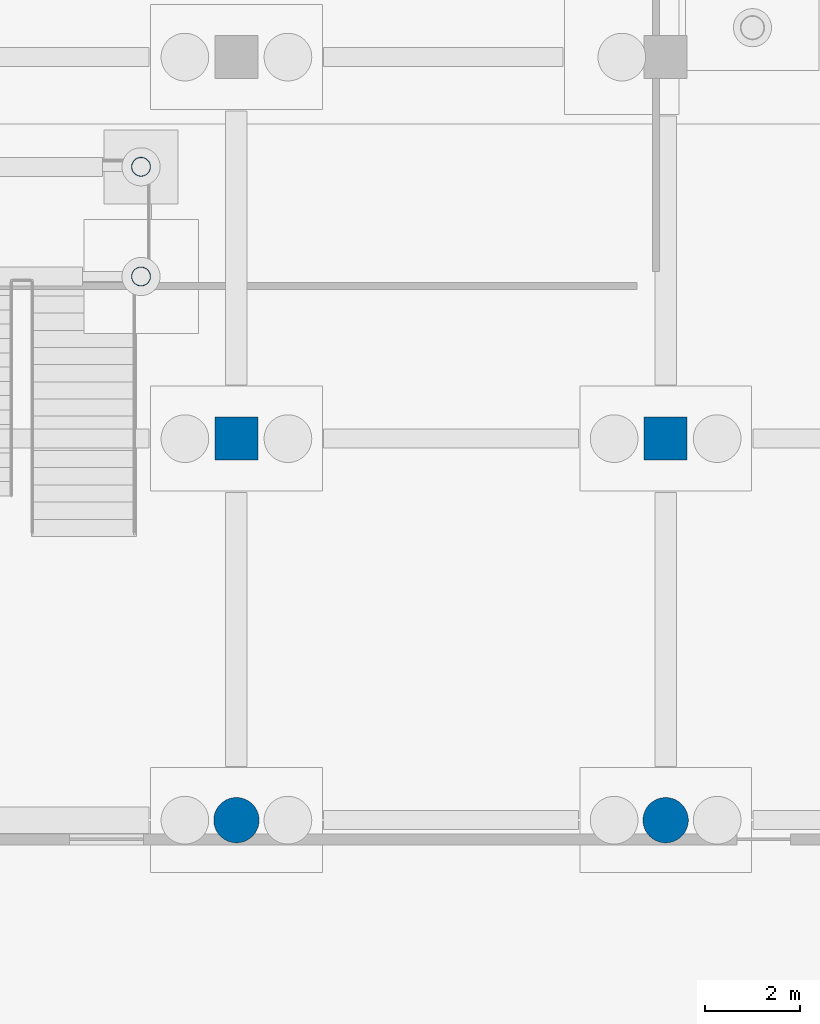
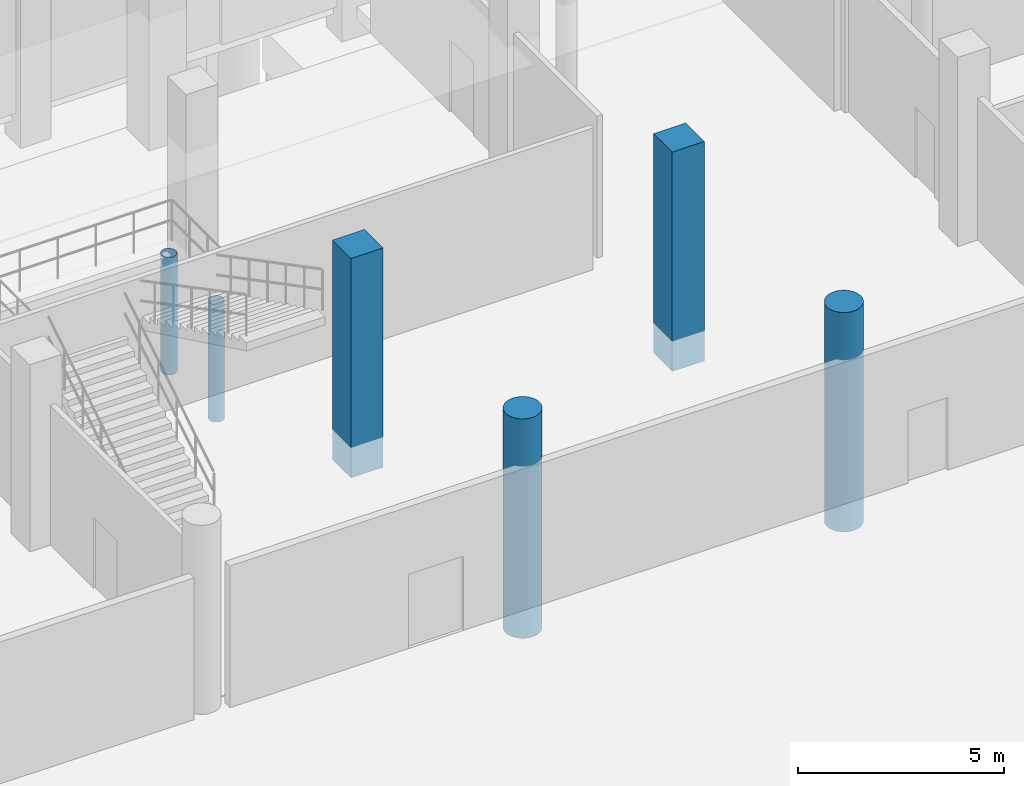
# One storey, part 19 of 98: 6 columns.
"""IFC4 building model written with IfcOpenShell, lengths in metres."""

from ifc_helpers import new_model, si_unit, derived_unit, direction, frame, origin, origin_2d, place, context, subcontext, project, spatial, rectangle, circle, hollow_circle, extrude, material, material_profile, profile_set, type_object, element, save


model = new_model("IFC4")

# Units and contexts
model_context = context("Model", 3, precision=1e-05, world=origin(), true_north=direction((0.0, 1.0)))
body_context = subcontext(model_context, "Body", "Model", "MODEL_VIEW")
ifc_project = project(units=[si_unit("LENGTHUNIT", "METRE"), si_unit("AREAUNIT", "SQUARE_METRE"), si_unit("VOLUMEUNIT", "CUBIC_METRE"), si_unit("PLANEANGLEUNIT", "RADIAN"), si_unit("MASSUNIT", "GRAM", prefix="KILO"), si_unit("THERMODYNAMICTEMPERATUREUNIT", "KELVIN"), derived_unit("THERMALTRANSMITTANCEUNIT", [(si_unit("POWERUNIT", "WATT"), 1), (si_unit("AREAUNIT", "SQUARE_METRE"), -1), (si_unit("THERMODYNAMICTEMPERATUREUNIT", "KELVIN"), -1)])], contexts=[model_context])

# Site, building, storey
site_placement = place(None, origin())
site = spatial("IfcSite", under=ifc_project, at=site_placement, CompositionType="ELEMENT")
building_placement = place(site_placement, origin())
building = spatial("IfcBuilding", under=site, at=building_placement, Name="Haiyu Intermodal Mobility Hub", CompositionType="ELEMENT")
storey_placement = place(building_placement, origin())
storey = spatial("IfcBuildingStorey", under=building, at=storey_placement, Name="L00", CompositionType="ELEMENT", Elevation=0.0)

# Columns
ifc_material_1 = material(Name="Concrete C40", Category="concrete")
ifc_material_profile_1 = material_profile(ifc_material_1, rectangle(XDim=0.89990234375, YDim=0.89990234375, at=origin_2d()), Name="RC900x900")
ifc_profile_set_1 = profile_set([ifc_material_profile_1], Name="Concrete C40")
column_type_1 = type_object("IfcColumnType", Name="COL-CC06", PredefinedType="COLUMN", material=ifc_profile_set_1)
for number, where, z_axis, x_axis, name in (
    (1, (129.0, 72.0, -0.89990234375), (0.0, 0.0, 1.0), (1.0, 0.0, 0.0), "Column V1-14H L00"),
    (2, (138.0, 72.0, -0.89990234375), (0.0, 0.0, 1.0), (1.0, 0.0, 0.0), "Column V1-15H L00"),
):
    element("IfcColumn", number, at=place(storey_placement, frame(where, z_axis=z_axis, x_axis=x_axis)), inside=storey, type_object=column_type_1, Name=name, PredefinedType="COLUMN", context=body_context, shape_type="SweptSolid", body=[
        extrude(rectangle(XDim=0.89990234375, YDim=0.89990234375, at=origin_2d()), origin(), (0.0, 0.0, 1.0), 6.5),
    ])
ifc_material_profile_2 = material_profile(ifc_material_1, circle(Radius=0.47509765625, at=origin_2d()), Name="RCCOL-D950")
ifc_profile_set_2 = profile_set([ifc_material_profile_2], Name="Concrete C40")
column_type_2 = type_object("IfcColumnType", Name="COL-CR03", PredefinedType="COLUMN", material=ifc_profile_set_2)
for number, where, z_axis, x_axis, name in (
    (3, (129.0, 64.0, -0.89990234375), (0.0, 0.0, 1.0), (1.0, 0.0, 0.0), "Column V1-14G L00"),
    (4, (138.0, 64.0, -0.89990234375), (0.0, 0.0, 1.0), (1.0, 0.0, 0.0), "Column V1-15G L00"),
):
    element("IfcColumn", number, at=place(storey_placement, frame(where, z_axis=z_axis, x_axis=x_axis)), inside=storey, type_object=column_type_2, Name=name, PredefinedType="COLUMN", context=body_context, shape_type="SweptSolid", body=[
        extrude(circle(Radius=0.47509765625, at=origin_2d()), origin(), (0.0, 0.0, 1.0), 6.5),
    ])
ifc_material_2 = material(Name="Steel Q355C", Category="steel")
ifc_material_profile_3 = material_profile(ifc_material_2, hollow_circle(Radius=0.202880859375, WallThickness=0.013916015625, at=origin_2d()), Name="CHS406x14")
ifc_profile_set_3 = profile_set([ifc_material_profile_3], Name="Steel Q355C")
column_type_3 = type_object("IfcColumnType", Name="COL-SC03", PredefinedType="COLUMN", material=ifc_profile_set_3)
for number, where, z_axis, x_axis, name in (
    (5, (127.0, 75.39990234375, -0.89990234375), (0.0, 0.0, 1.0), (1.0, 0.0, 0.0), "Column MST2-ES L00"),
    (6, (127.0, 77.699951171875, -0.89990234375), (0.0, 0.0, 1.0), (1.0, 0.0, 0.0), "Column MST2-EN L00"),
):
    element("IfcColumn", number, at=place(storey_placement, frame(where, z_axis=z_axis, x_axis=x_axis)), inside=storey, type_object=column_type_3, Name=name, PredefinedType="COLUMN", context=body_context, shape_type="SweptSolid", body=[
        extrude(hollow_circle(Radius=0.202880859375, WallThickness=0.013916015625, at=origin_2d()), origin(), (0.0, 0.0, 1.0), 3.47998046875),
    ])

save(model, "model.ifc")
